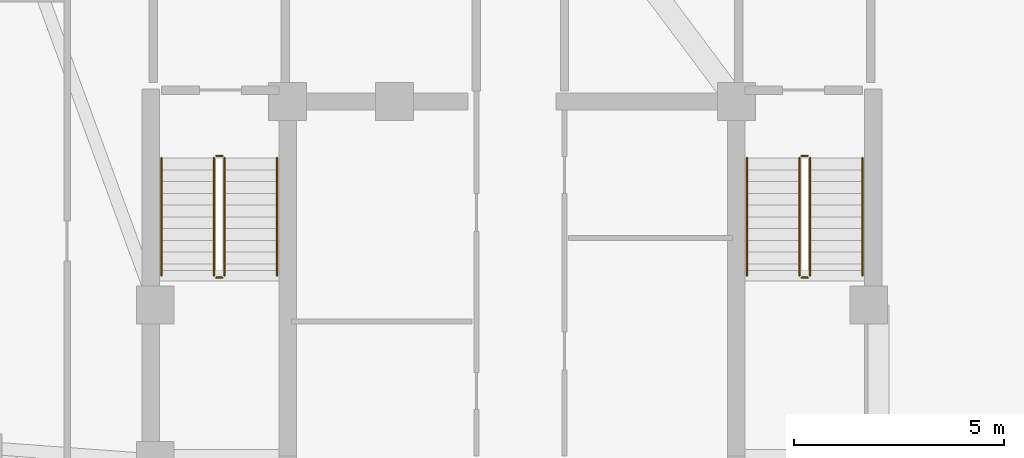
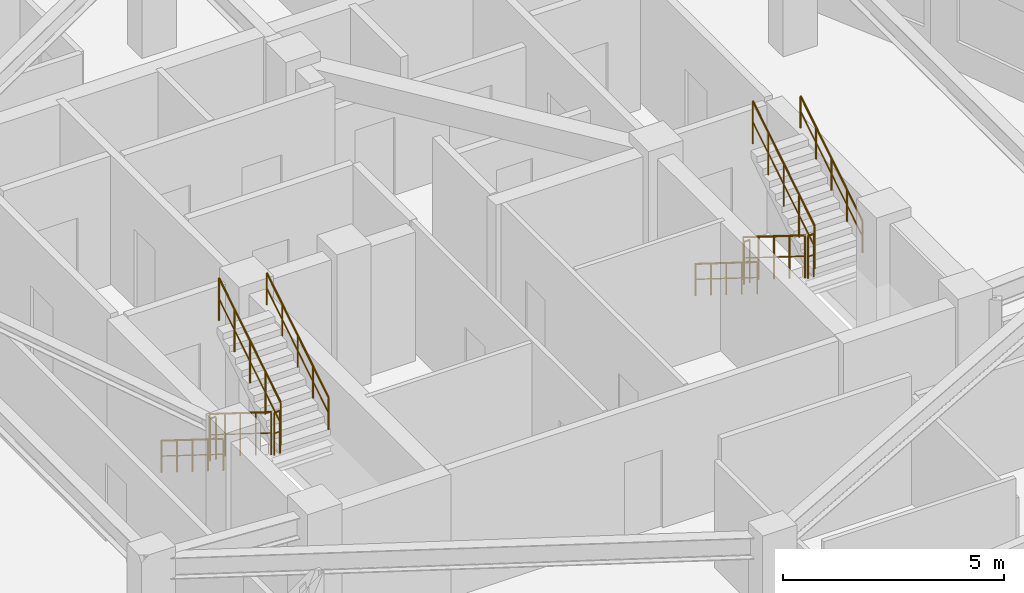
# One storey, part 9 of 9: 12 railings.
"""IFC4 building model written with IfcOpenShell, lengths in metres."""

from ifc_helpers import new_model, si_unit, direction, frame, origin, origin_2d, place, context, subcontext, project, spatial, circle, extrude, material, type_object, element, save


model = new_model("IFC4")

# Units and contexts
model_context = context("Model", 3, precision=1e-05, world=origin(), true_north=direction((0.0, 1.0)))
body_context = subcontext(model_context, "Body", "Model", "MODEL_VIEW")
ifc_project = project(units=[si_unit("LENGTHUNIT", "METRE"), si_unit("AREAUNIT", "SQUARE_METRE"), si_unit("VOLUMEUNIT", "CUBIC_METRE"), si_unit("PLANEANGLEUNIT", "RADIAN"), si_unit("MASSUNIT", "GRAM", prefix="KILO")], contexts=[model_context])

# Site, building, storey
site_placement = place(None, origin())
site = spatial("IfcSite", under=ifc_project, at=site_placement, CompositionType="ELEMENT")
building_placement = place(site_placement, origin())
building = spatial("IfcBuilding", under=site, at=building_placement, Name="Miruveldt Soraemaru", CompositionType="ELEMENT")
storey_placement = place(building_placement, frame((0.0, 0.0, 263.550048828125)))
storey = spatial("IfcBuildingStorey", under=building, at=storey_placement, Name="L72", CompositionType="ELEMENT", Elevation=263.550048828125)

# Railings
ifc_material = material(Name="Steel S355 (355 MPa)", Category="steel")
railing_type_1 = type_object("IfcRailingType", Name="RAIL-HR-900", PredefinedType="HANDRAIL", material=ifc_material)
railing_1_placement = place(storey_placement, frame((35.64990234375, 42.699951171875, 0.175048828125)))
element("IfcRailing", 1, at=railing_1_placement, inside=storey, type_object=railing_type_1, Name="L72 ST-1 stair handrail 1", PredefinedType="HANDRAIL", context=body_context, shape_type="SweptSolid", body=[
    extrude(circle(Radius=0.02392578125, at=origin_2d()), frame((0.0, 0.0, 0.8759765625), z_axis=(0.0, -0.848002457836, 0.529992293815), x_axis=(1.0, 0.0, 0.0)), (0.0, 0.0, 1.0), 3.302001953125),
    extrude(circle(Radius=0.01611328125, at=origin_2d()), frame((0.0, 0.0, 0.449951171875), z_axis=(0.0, -0.848002457836, 0.529992293815), x_axis=(1.0, 0.0, 0.0)), (0.0, 0.0, 1.0), 3.302001953125),
    extrude(circle(Radius=0.02099609375, at=origin_2d()), origin(), (0.0, 0.0, 1.0), 0.851806640625),
    extrude(circle(Radius=0.02099609375, at=origin_2d()), frame((0.0, -0.699951171875, 0.4375)), (0.0, 0.0, 1.0), 0.851806640625),
    extrude(circle(Radius=0.02099609375, at=origin_2d()), frame((0.0, -1.39990234375, 0.875)), (0.0, 0.0, 1.0), 0.851806640625),
    extrude(circle(Radius=0.02099609375, at=origin_2d()), frame((0.0, -2.10009765625, 1.3125)), (0.0, 0.0, 1.0), 0.851806640625),
    extrude(circle(Radius=0.02099609375, at=origin_2d()), frame((0.0, -2.800048828125, 1.75)), (0.0, 0.0, 1.0), 0.851806640625),
])
railing_2_placement = place(storey_placement, frame((38.39990234375, 39.89990234375, 2.099853515625)))
element("IfcRailing", 2, at=railing_2_placement, inside=storey, type_object=railing_type_1, Name="L72 ST-1 stair handrail 2", PredefinedType="HANDRAIL", context=body_context, shape_type="SweptSolid", body=[
    extrude(circle(Radius=0.02392578125, at=origin_2d()), frame((0.0, 0.0, 0.8759765625), z_axis=(0.0, 0.848002457836, 0.529992293815), x_axis=(-1.0, 0.0, 0.0)), (0.0, 0.0, 1.0), 3.302001953125),
    extrude(circle(Radius=0.01611328125, at=origin_2d()), frame((0.0, 0.0, 0.449951171875), z_axis=(0.0, 0.848002457836, 0.529992293815), x_axis=(-1.0, 0.0, 0.0)), (0.0, 0.0, 1.0), 3.302001953125),
    extrude(circle(Radius=0.02099609375, at=origin_2d()), origin(), (0.0, 0.0, 1.0), 0.851806640625),
    extrude(circle(Radius=0.02099609375, at=origin_2d()), frame((0.0, 0.699951171875, 0.4375)), (0.0, 0.0, 1.0), 0.851806640625),
    extrude(circle(Radius=0.02099609375, at=origin_2d()), frame((0.0, 1.39990234375, 0.875)), (0.0, 0.0, 1.0), 0.851806640625),
    extrude(circle(Radius=0.02099609375, at=origin_2d()), frame((0.0, 2.10009765625, 1.3125)), (0.0, 0.0, 1.0), 0.851806640625),
    extrude(circle(Radius=0.02099609375, at=origin_2d()), frame((0.0, 2.800048828125, 1.75)), (0.0, 0.0, 1.0), 0.851806640625),
])
railing_3_placement = place(storey_placement, frame((49.60009765625, 42.699951171875, 0.175048828125)))
element("IfcRailing", 3, at=railing_3_placement, inside=storey, type_object=railing_type_1, Name="L72 ST-2 stair handrail 1", PredefinedType="HANDRAIL", context=body_context, shape_type="SweptSolid", body=[
    extrude(circle(Radius=0.02392578125, at=origin_2d()), frame((0.0, 0.0, 0.8759765625), z_axis=(0.0, -0.848002457836, 0.529992293815), x_axis=(1.0, 0.0, 0.0)), (0.0, 0.0, 1.0), 3.302001953125),
    extrude(circle(Radius=0.01611328125, at=origin_2d()), frame((0.0, 0.0, 0.449951171875), z_axis=(0.0, -0.848002457836, 0.529992293815), x_axis=(1.0, 0.0, 0.0)), (0.0, 0.0, 1.0), 3.302001953125),
    extrude(circle(Radius=0.02099609375, at=origin_2d()), origin(), (0.0, 0.0, 1.0), 0.851806640625),
    extrude(circle(Radius=0.02099609375, at=origin_2d()), frame((0.0, -0.699951171875, 0.4375)), (0.0, 0.0, 1.0), 0.851806640625),
    extrude(circle(Radius=0.02099609375, at=origin_2d()), frame((0.0, -1.39990234375, 0.875)), (0.0, 0.0, 1.0), 0.851806640625),
    extrude(circle(Radius=0.02099609375, at=origin_2d()), frame((0.0, -2.10009765625, 1.3125)), (0.0, 0.0, 1.0), 0.851806640625),
    extrude(circle(Radius=0.02099609375, at=origin_2d()), frame((0.0, -2.800048828125, 1.75)), (0.0, 0.0, 1.0), 0.851806640625),
])
railing_4_placement = place(storey_placement, frame((52.35009765625, 39.89990234375, 2.099853515625)))
element("IfcRailing", 4, at=railing_4_placement, inside=storey, type_object=railing_type_1, Name="L72 ST-2 stair handrail 2", PredefinedType="HANDRAIL", context=body_context, shape_type="SweptSolid", body=[
    extrude(circle(Radius=0.02392578125, at=origin_2d()), frame((0.0, 0.0, 0.8759765625), z_axis=(0.0, 0.848002457836, 0.529992293815), x_axis=(-1.0, 0.0, 0.0)), (0.0, 0.0, 1.0), 3.302001953125),
    extrude(circle(Radius=0.01611328125, at=origin_2d()), frame((0.0, 0.0, 0.449951171875), z_axis=(0.0, 0.848002457836, 0.529992293815), x_axis=(-1.0, 0.0, 0.0)), (0.0, 0.0, 1.0), 3.302001953125),
    extrude(circle(Radius=0.02099609375, at=origin_2d()), origin(), (0.0, 0.0, 1.0), 0.851806640625),
    extrude(circle(Radius=0.02099609375, at=origin_2d()), frame((0.0, 0.699951171875, 0.4375)), (0.0, 0.0, 1.0), 0.851806640625),
    extrude(circle(Radius=0.02099609375, at=origin_2d()), frame((0.0, 1.39990234375, 0.875)), (0.0, 0.0, 1.0), 0.851806640625),
    extrude(circle(Radius=0.02099609375, at=origin_2d()), frame((0.0, 2.10009765625, 1.3125)), (0.0, 0.0, 1.0), 0.851806640625),
    extrude(circle(Radius=0.02099609375, at=origin_2d()), frame((0.0, 2.800048828125, 1.75)), (0.0, 0.0, 1.0), 0.851806640625),
])
railing_type_2 = type_object("IfcRailingType", Name="RAIL-STGUARD-1200", PredefinedType="GUARDRAIL", material=ifc_material)
railing_5_placement = place(storey_placement, frame((36.89990234375, 42.699951171875, 0.175048828125)))
element("IfcRailing", 5, at=railing_5_placement, inside=storey, type_object=railing_type_2, Name="L72 ST-1 stair guard 1", PredefinedType="GUARDRAIL", context=body_context, shape_type="SweptSolid", body=[
    extrude(circle(Radius=0.02392578125, at=origin_2d()), frame((0.0, 0.0, 1.17578125), z_axis=(0.0, -0.848002457836, 0.529992293815), x_axis=(1.0, 0.0, 0.0)), (0.0, 0.0, 1.0), 3.302001953125),
    extrude(circle(Radius=0.01611328125, at=origin_2d()), frame((0.0, 0.0, 0.60009765625), z_axis=(0.0, -0.848002457836, 0.529992293815), x_axis=(1.0, 0.0, 0.0)), (0.0, 0.0, 1.0), 3.302001953125),
    extrude(circle(Radius=0.02099609375, at=origin_2d()), origin(), (0.0, 0.0, 1.0), 1.15185546875),
    extrude(circle(Radius=0.02099609375, at=origin_2d()), frame((0.0, -0.699951171875, 0.4375)), (0.0, 0.0, 1.0), 1.15185546875),
    extrude(circle(Radius=0.02099609375, at=origin_2d()), frame((0.0, -1.39990234375, 0.875)), (0.0, 0.0, 1.0), 1.15185546875),
    extrude(circle(Radius=0.02099609375, at=origin_2d()), frame((0.0, -2.10009765625, 1.3125)), (0.0, 0.0, 1.0), 1.15185546875),
    extrude(circle(Radius=0.02099609375, at=origin_2d()), frame((0.0, -2.800048828125, 1.75)), (0.0, 0.0, 1.0), 1.15185546875),
])
railing_6_placement = place(storey_placement, frame((36.949951171875, 39.85009765625, 1.925048828125)))
element("IfcRailing", 6, at=railing_6_placement, inside=storey, type_object=railing_type_2, Name="L72 ST-1 stair guard 2", PredefinedType="GUARDRAIL", context=body_context, shape_type="SweptSolid", body=[
    extrude(circle(Radius=0.02392578125, at=origin_2d()), frame((0.0, 0.0, 1.17578125), z_axis=(1.0, 0.0, 0.0), x_axis=(0.0, 1.0, 0.0)), (0.0, 0.0, 1.0), 0.150146484375),
    extrude(circle(Radius=0.01611328125, at=origin_2d()), frame((0.0, 0.0, 0.60009765625), z_axis=(1.0, 0.0, 0.0), x_axis=(0.0, 1.0, 0.0)), (0.0, 0.0, 1.0), 0.150146484375),
    extrude(circle(Radius=0.02099609375, at=origin_2d()), origin(), (0.0, 0.0, 1.0), 1.15185546875),
    extrude(circle(Radius=0.02099609375, at=origin_2d()), frame((0.150146484375, 0.0, 0.0)), (0.0, 0.0, 1.0), 1.15185546875),
])
railing_7_placement = place(storey_placement, frame((37.14990234375, 39.89990234375, 2.099853515625)))
element("IfcRailing", 7, at=railing_7_placement, inside=storey, type_object=railing_type_2, Name="L72 ST-1 stair guard 3", PredefinedType="GUARDRAIL", context=body_context, shape_type="SweptSolid", body=[
    extrude(circle(Radius=0.02392578125, at=origin_2d()), frame((0.0, 0.0, 1.17578125), z_axis=(0.0, 0.848002457836, 0.529992293815), x_axis=(-1.0, 0.0, 0.0)), (0.0, 0.0, 1.0), 3.302001953125),
    extrude(circle(Radius=0.01611328125, at=origin_2d()), frame((0.0, 0.0, 0.60009765625), z_axis=(0.0, 0.848002457836, 0.529992293815), x_axis=(-1.0, 0.0, 0.0)), (0.0, 0.0, 1.0), 3.302001953125),
    extrude(circle(Radius=0.02099609375, at=origin_2d()), origin(), (0.0, 0.0, 1.0), 1.15185546875),
    extrude(circle(Radius=0.02099609375, at=origin_2d()), frame((0.0, 0.699951171875, 0.4375)), (0.0, 0.0, 1.0), 1.15185546875),
    extrude(circle(Radius=0.02099609375, at=origin_2d()), frame((0.0, 1.39990234375, 0.875)), (0.0, 0.0, 1.0), 1.15185546875),
    extrude(circle(Radius=0.02099609375, at=origin_2d()), frame((0.0, 2.10009765625, 1.3125)), (0.0, 0.0, 1.0), 1.15185546875),
    extrude(circle(Radius=0.02099609375, at=origin_2d()), frame((0.0, 2.800048828125, 1.75)), (0.0, 0.0, 1.0), 1.15185546875),
])
railing_8_placement = place(storey_placement, frame((36.949951171875, 42.75, 0.0)))
element("IfcRailing", 8, at=railing_8_placement, inside=storey, type_object=railing_type_2, Name="L72 ST-1 stair guard 4", PredefinedType="GUARDRAIL", context=body_context, shape_type="SweptSolid", body=[
    extrude(circle(Radius=0.02392578125, at=origin_2d()), frame((0.0, 0.0, 1.17578125), z_axis=(1.0, 0.0, 0.0), x_axis=(0.0, 1.0, 0.0)), (0.0, 0.0, 1.0), 0.150146484375),
    extrude(circle(Radius=0.01611328125, at=origin_2d()), frame((0.0, 0.0, 0.60009765625), z_axis=(1.0, 0.0, 0.0), x_axis=(0.0, 1.0, 0.0)), (0.0, 0.0, 1.0), 0.150146484375),
    extrude(circle(Radius=0.02099609375, at=origin_2d()), origin(), (0.0, 0.0, 1.0), 1.15185546875),
    extrude(circle(Radius=0.02099609375, at=origin_2d()), frame((0.150146484375, 0.0, 0.0)), (0.0, 0.0, 1.0), 1.15185546875),
])
railing_9_placement = place(storey_placement, frame((50.85009765625, 42.699951171875, 0.175048828125)))
element("IfcRailing", 9, at=railing_9_placement, inside=storey, type_object=railing_type_2, Name="L72 ST-2 stair guard 1", PredefinedType="GUARDRAIL", context=body_context, shape_type="SweptSolid", body=[
    extrude(circle(Radius=0.02392578125, at=origin_2d()), frame((0.0, 0.0, 1.17578125), z_axis=(0.0, -0.848002457836, 0.529992293815), x_axis=(1.0, 0.0, 0.0)), (0.0, 0.0, 1.0), 3.302001953125),
    extrude(circle(Radius=0.01611328125, at=origin_2d()), frame((0.0, 0.0, 0.60009765625), z_axis=(0.0, -0.848002457836, 0.529992293815), x_axis=(1.0, 0.0, 0.0)), (0.0, 0.0, 1.0), 3.302001953125),
    extrude(circle(Radius=0.02099609375, at=origin_2d()), origin(), (0.0, 0.0, 1.0), 1.15185546875),
    extrude(circle(Radius=0.02099609375, at=origin_2d()), frame((0.0, -0.699951171875, 0.4375)), (0.0, 0.0, 1.0), 1.15185546875),
    extrude(circle(Radius=0.02099609375, at=origin_2d()), frame((0.0, -1.39990234375, 0.875)), (0.0, 0.0, 1.0), 1.15185546875),
    extrude(circle(Radius=0.02099609375, at=origin_2d()), frame((0.0, -2.10009765625, 1.3125)), (0.0, 0.0, 1.0), 1.15185546875),
    extrude(circle(Radius=0.02099609375, at=origin_2d()), frame((0.0, -2.800048828125, 1.75)), (0.0, 0.0, 1.0), 1.15185546875),
])
railing_10_placement = place(storey_placement, frame((50.89990234375, 39.85009765625, 1.925048828125)))
element("IfcRailing", 10, at=railing_10_placement, inside=storey, type_object=railing_type_2, Name="L72 ST-2 stair guard 2", PredefinedType="GUARDRAIL", context=body_context, shape_type="SweptSolid", body=[
    extrude(circle(Radius=0.02392578125, at=origin_2d()), frame((0.0, 0.0, 1.17578125), z_axis=(1.0, 0.0, 0.0), x_axis=(0.0, 1.0, 0.0)), (0.0, 0.0, 1.0), 0.150146484375),
    extrude(circle(Radius=0.01611328125, at=origin_2d()), frame((0.0, 0.0, 0.60009765625), z_axis=(1.0, 0.0, 0.0), x_axis=(0.0, 1.0, 0.0)), (0.0, 0.0, 1.0), 0.150146484375),
    extrude(circle(Radius=0.02099609375, at=origin_2d()), origin(), (0.0, 0.0, 1.0), 1.15185546875),
    extrude(circle(Radius=0.02099609375, at=origin_2d()), frame((0.150146484375, 0.0, 0.0)), (0.0, 0.0, 1.0), 1.15185546875),
])
railing_11_placement = place(storey_placement, frame((51.10009765625, 39.89990234375, 2.099853515625)))
element("IfcRailing", 11, at=railing_11_placement, inside=storey, type_object=railing_type_2, Name="L72 ST-2 stair guard 3", PredefinedType="GUARDRAIL", context=body_context, shape_type="SweptSolid", body=[
    extrude(circle(Radius=0.02392578125, at=origin_2d()), frame((0.0, 0.0, 1.17578125), z_axis=(0.0, 0.848002457836, 0.529992293815), x_axis=(-1.0, 0.0, 0.0)), (0.0, 0.0, 1.0), 3.302001953125),
    extrude(circle(Radius=0.01611328125, at=origin_2d()), frame((0.0, 0.0, 0.60009765625), z_axis=(0.0, 0.848002457836, 0.529992293815), x_axis=(-1.0, 0.0, 0.0)), (0.0, 0.0, 1.0), 3.302001953125),
    extrude(circle(Radius=0.02099609375, at=origin_2d()), origin(), (0.0, 0.0, 1.0), 1.15185546875),
    extrude(circle(Radius=0.02099609375, at=origin_2d()), frame((0.0, 0.699951171875, 0.4375)), (0.0, 0.0, 1.0), 1.15185546875),
    extrude(circle(Radius=0.02099609375, at=origin_2d()), frame((0.0, 1.39990234375, 0.875)), (0.0, 0.0, 1.0), 1.15185546875),
    extrude(circle(Radius=0.02099609375, at=origin_2d()), frame((0.0, 2.10009765625, 1.3125)), (0.0, 0.0, 1.0), 1.15185546875),
    extrude(circle(Radius=0.02099609375, at=origin_2d()), frame((0.0, 2.800048828125, 1.75)), (0.0, 0.0, 1.0), 1.15185546875),
])
railing_12_placement = place(storey_placement, frame((50.89990234375, 42.75, 0.0)))
element("IfcRailing", 12, at=railing_12_placement, inside=storey, type_object=railing_type_2, Name="L72 ST-2 stair guard 4", PredefinedType="GUARDRAIL", context=body_context, shape_type="SweptSolid", body=[
    extrude(circle(Radius=0.02392578125, at=origin_2d()), frame((0.0, 0.0, 1.17578125), z_axis=(1.0, 0.0, 0.0), x_axis=(0.0, 1.0, 0.0)), (0.0, 0.0, 1.0), 0.150146484375),
    extrude(circle(Radius=0.01611328125, at=origin_2d()), frame((0.0, 0.0, 0.60009765625), z_axis=(1.0, 0.0, 0.0), x_axis=(0.0, 1.0, 0.0)), (0.0, 0.0, 1.0), 0.150146484375),
    extrude(circle(Radius=0.02099609375, at=origin_2d()), origin(), (0.0, 0.0, 1.0), 1.15185546875),
    extrude(circle(Radius=0.02099609375, at=origin_2d()), frame((0.150146484375, 0.0, 0.0)), (0.0, 0.0, 1.0), 1.15185546875),
])

save(model, "model.ifc")
